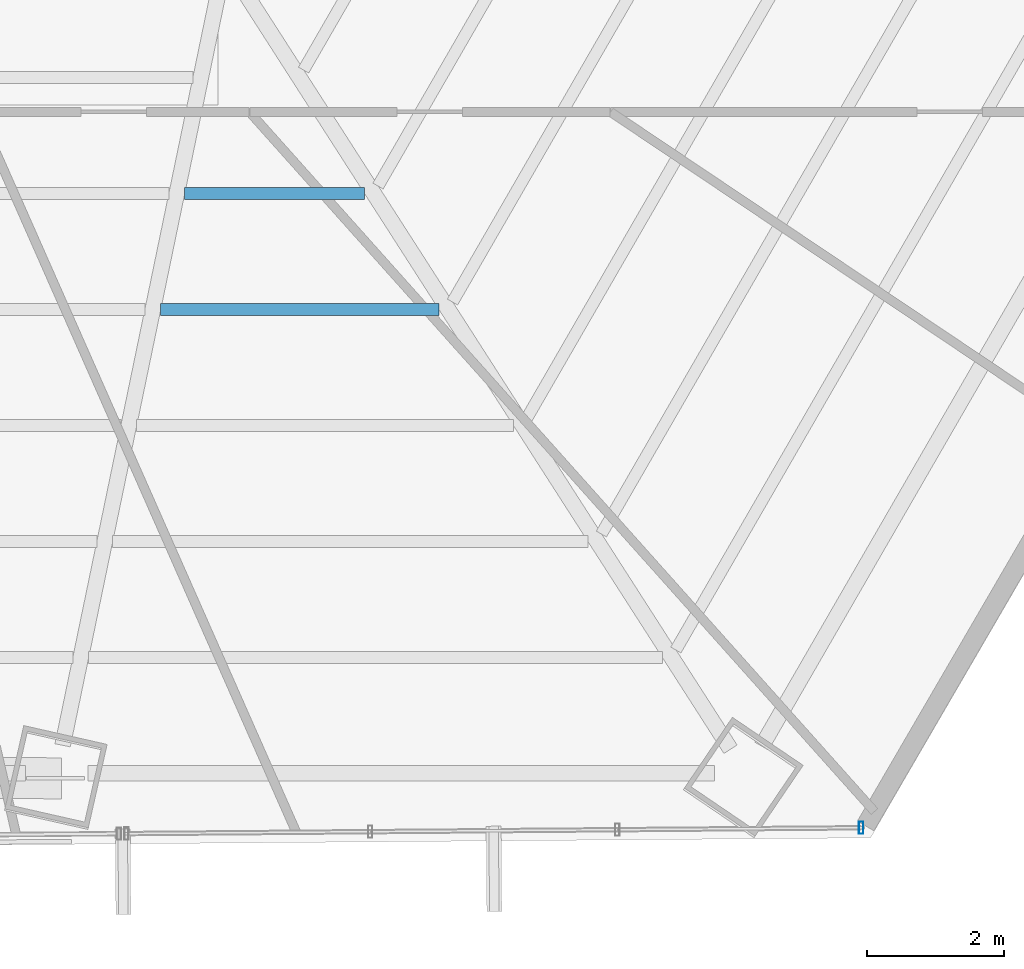
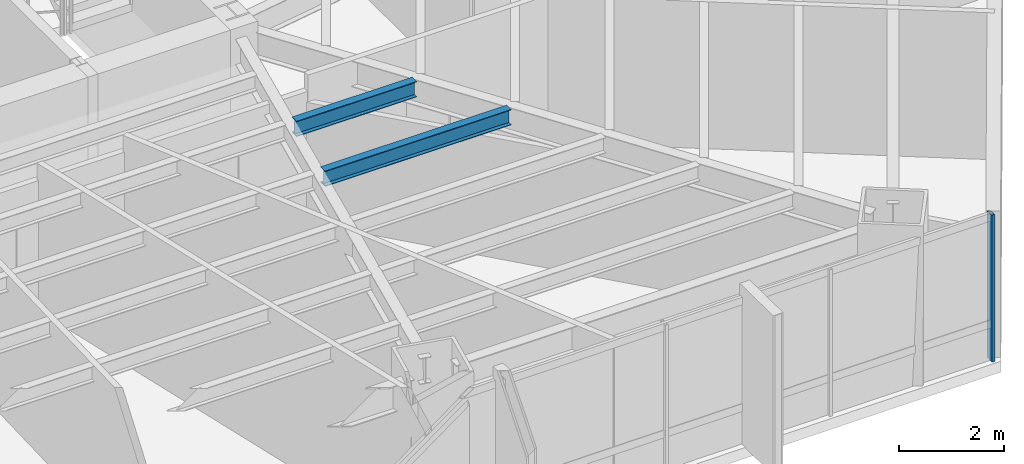
# One storey, part 18 of 36: 2 beams, 1 member, 1 element without a shape of its own.
"""IFC4 building model written with IfcOpenShell, lengths in metres."""

from ifc_helpers import new_model, si_unit, direction, frame, origin, origin_2d, place, context, subcontext, project, spatial, hollow_rectangle, i_section, extrude, source, transform, mapped, material, material_profile, profile_set, type_object, type_shapes, element, aggregate, save


model = new_model("IFC4")

# Units and contexts
model_context = context("Model", 3, precision=1e-05, world=origin(), true_north=direction((0.0, 1.0)))
body_context = subcontext(model_context, "Body", "Model", "MODEL_VIEW")
ifc_project = project(units=[si_unit("LENGTHUNIT", "METRE"), si_unit("AREAUNIT", "SQUARE_METRE"), si_unit("VOLUMEUNIT", "CUBIC_METRE"), si_unit("PLANEANGLEUNIT", "RADIAN"), si_unit("MASSUNIT", "GRAM", prefix="KILO")], contexts=[model_context])

# Site, building, storey
site_placement = place(None, origin())
site = spatial("IfcSite", under=ifc_project, at=site_placement, CompositionType="ELEMENT")
building_placement = place(site_placement, origin())
building = spatial("IfcBuilding", under=site, at=building_placement, Name="Caelisora Broadcast Tower", CompositionType="ELEMENT")
storey_placement = place(building_placement, frame((0.0, 0.0, 60.449951171875)))
storey = spatial("IfcBuildingStorey", under=building, at=storey_placement, Name="L15", CompositionType="ELEMENT", Elevation=60.449951171875)

# Beams
ifc_material_1 = material(Name="Steel Grade 350 (AS/NZS 3679.1)", Category="steel")
ifc_material_profile_1 = material_profile(ifc_material_1, i_section(OverallWidth=0.172119140625, OverallDepth=0.358642578125, WebThickness=0.008056640625, FlangeThickness=0.012939453125, at=origin_2d()), Name="Steel Grade 350 (AS/NZS 3679.1)")
ifc_profile_set_1 = profile_set([ifc_material_profile_1], Name="Steel Grade 350 (AS/NZS 3679.1)")
beam_type = type_object("IfcBeamType", Name="SB02", PredefinedType="JOIST", material=ifc_profile_set_1)
shared_shape_1 = source(origin(), body_context, "Body", "SweptSolid", [
    extrude(i_section(OverallWidth=0.172119140625, OverallDepth=0.358642578125, WebThickness=0.008056640625, FlangeThickness=0.012939453125, at=origin_2d()), origin(), (0.0, 0.0, 1.0), 2.635009765625),
])
beam_1_placement = place(storey_placement, frame((44.910888671875, 14.006591796875, 3.220703125), z_axis=(1.0, 0.0, 0.0), x_axis=(0.0, 1.0, 0.0)))
element("IfcBeam", 1, at=beam_1_placement, inside=storey, type_object=beam_type, Name="L15 beam SB02", PredefinedType="JOIST", context=body_context, shape_type="MappedRepresentation", body=[
    mapped(shared_shape_1, transform((0.0, 0.0, 0.0), scale=1.0)),
])
shared_shape_2 = source(origin(), body_context, "Body", "SweptSolid", [
    extrude(i_section(OverallWidth=0.172119140625, OverallDepth=0.358642578125, WebThickness=0.008056640625, FlangeThickness=0.012939453125, at=origin_2d()), origin(), (0.0, 0.0, 1.0), 4.0751953125),
])
type_shapes(beam_type, [shared_shape_1, shared_shape_2])
beam_2_placement = place(storey_placement, frame((44.559814453125, 12.309814453125, 3.220703125), z_axis=(1.0, 0.0, 0.0), x_axis=(0.0, 1.0, 0.0)))
element("IfcBeam", 2, at=beam_2_placement, inside=storey, type_object=beam_type, Name="L15 beam SB02", PredefinedType="JOIST", context=body_context, shape_type="MappedRepresentation", body=[
    mapped(shared_shape_2, transform((0.0, 0.0, 0.0), scale=1.0)),
])

# Curtain wall, member
ifc_material_2 = material(Name="Unitised Aluminium and Low-E Glass Curtain Wall", Category="glass")
curtain_wall_type = type_object("IfcCurtainWallType", Name="CW-Z1", PredefinedType="NOTDEFINED", material=ifc_material_2)
curtain_wall_placement = place(storey_placement, origin())
curtain_wall = element("IfcCurtainWall", 3, at=curtain_wall_placement, inside=storey, type_object=curtain_wall_type, Name="L15 curtain wall CW-Z1", PredefinedType="NOTDEFINED")
ifc_material_3 = material(Name="Aluminium 6063-T6 Anodised Terracotta Bronze", Category="aluminium")
ifc_material_profile_2 = material_profile(ifc_material_3, hollow_rectangle(XDim=0.06494140625, YDim=0.179931640625, WallThickness=0.00341796875, at=origin_2d()), Name="Aluminium 6063-T6 Anodised Terracotta Bronze")
ifc_profile_set_2 = profile_set([ifc_material_profile_2], Name="Aluminium 6063-T6 Anodised Terracotta Bronze")
member_type = type_object("IfcMemberType", Name="CWM-02", PredefinedType="MULLION", material=ifc_profile_set_2)
shared_shape_3 = source(origin(), body_context, "Body", "SweptSolid", [
    extrude(hollow_rectangle(XDim=0.06494140625, YDim=0.179931640625, WallThickness=0.00341796875, at=origin_2d()), origin(), (0.0, 0.0, 1.0), 3.400146484375),
])
type_shapes(member_type, [shared_shape_3])
member_placement = place(storey_placement, frame((54.80908203125, 4.7275390625, 0.0), z_axis=(0.0, 0.0, 1.0), x_axis=(1.0, 0.0, 0.0)))
member = element("IfcMember", 4, at=member_placement, type_object=member_type, Name="L15-CW-B05 mullion #0", PredefinedType="MULLION", context=body_context, shape_type="MappedRepresentation", body=[
    mapped(shared_shape_3, transform((0.0, 0.0, 0.0), scale=1.0)),
])
aggregate(curtain_wall, [member])

save(model, "model.ifc")
